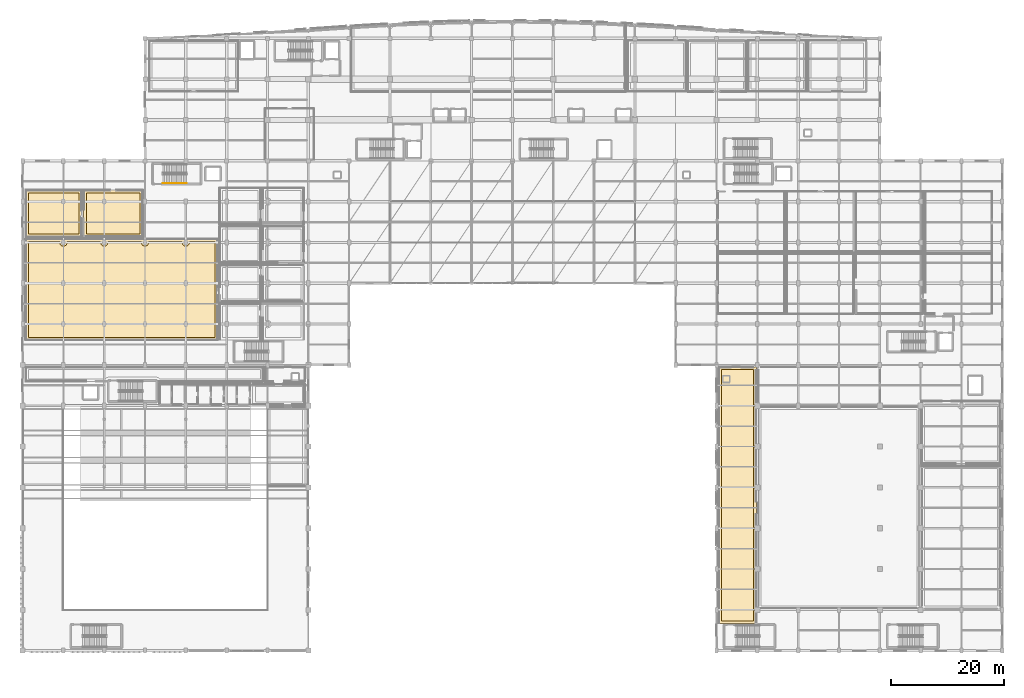
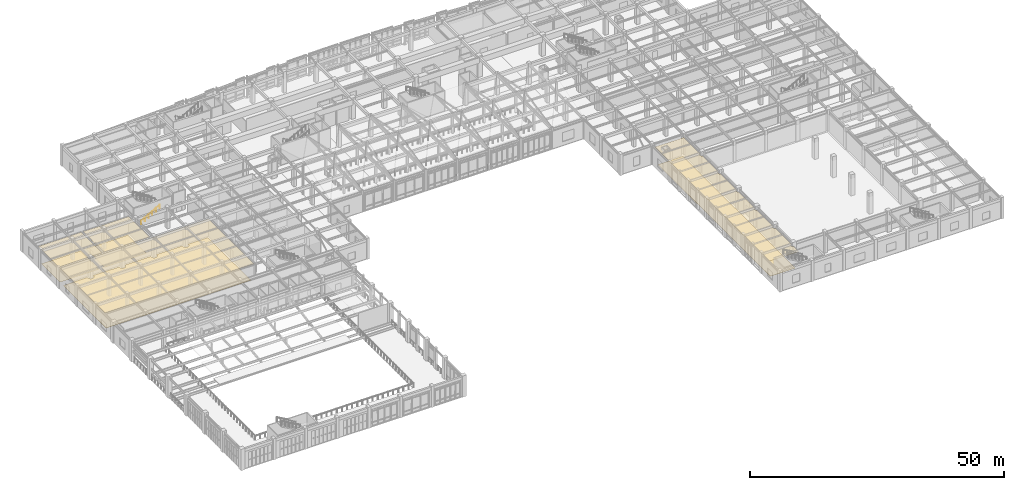
# One storey, part 106 of 117: 8 coverings, 1 railing.
"""IFC4 building model written with IfcOpenShell, lengths in metres."""

from ifc_helpers import new_model, si_unit, direction, frame, origin, origin_2d, place, context, subcontext, project, spatial, polyline, circle, outline, extrude, material, layer, layer_set, type_object, element, save


model = new_model("IFC4")

# Units and contexts
model_context = context("Model", 3, precision=1e-05, world=origin(), true_north=direction((0.0, 1.0)))
body_context = subcontext(model_context, "Body", "Model", "MODEL_VIEW")
ifc_project = project(units=[si_unit("LENGTHUNIT", "METRE"), si_unit("AREAUNIT", "SQUARE_METRE"), si_unit("VOLUMEUNIT", "CUBIC_METRE"), si_unit("PLANEANGLEUNIT", "RADIAN"), si_unit("MASSUNIT", "GRAM", prefix="KILO")], contexts=[model_context])

# Site, building, storey
site_placement = place(None, origin())
site = spatial("IfcSite", under=ifc_project, at=site_placement, CompositionType="ELEMENT")
building_placement = place(site_placement, origin())
building = spatial("IfcBuilding", under=site, at=building_placement, Name="Carrowvane Square Congress Hotel", CompositionType="ELEMENT")
storey_placement = place(building_placement, frame((0.0, 0.0, 5.39990234375)))
storey = spatial("IfcBuildingStorey", under=building, at=storey_placement, Name="L01", CompositionType="ELEMENT", Elevation=5.39990234375)

# Coverings
ifc_material_1 = material(Name="Acoustic gypsum board", Category="gypsum")
ifc_layer_1 = layer(ifc_material_1, 0.014892578125)
ifc_layer_set_1 = layer_set([ifc_layer_1], Name="Acoustic gypsum board")
covering_type_1 = type_object("IfcCoveringType", Name="COV-CLG-AC15", PredefinedType="CEILING", material=ifc_layer_set_1)
covering_1_placement = place(storey_placement, frame((0.0, 0.0, 4.050048828125)))
element("IfcCovering", 1, at=covering_1_placement, inside=storey, type_object=covering_type_1, Name="L01 Aromatic Botanical Steam Room acoustic ceiling", PredefinedType="CEILING", context=body_context, shape_type="SweptSolid", body=[
    extrude(outline(polyline([(32.802001953125, 86.619873046875), (32.803955078125, 86.61962890625), (32.805908203125, 86.619140625), (32.8076171875, 86.618408203125), (32.809326171875, 86.61767578125), (32.81103515625, 86.61669921875), (32.812744140625, 86.615478515625), (32.814208984375, 86.614013671875), (32.8154296875, 86.61279296875), (32.816650390625, 86.611083984375), (32.817626953125, 86.609375), (32.818603515625, 86.607666015625), (32.819091796875, 86.605712890625), (32.819580078125, 86.60400390625), (32.81982421875, 86.60205078125), (32.820068359375, 86.60009765625), (32.820068359375, 84.92431640625), (32.8134765625, 84.917236328125), (32.7841796875, 84.877685546875), (32.759033203125, 84.835693359375), (32.738037109375, 84.791259765625), (32.721435546875, 84.7451171875), (32.709716796875, 84.697509765625), (32.702392578125, 84.64892578125), (32.699951171875, 84.60009765625), (32.702392578125, 84.551025390625), (32.709716796875, 84.50244140625), (32.721435546875, 84.454833984375), (32.738037109375, 84.40869140625), (32.759033203125, 84.3642578125), (32.7841796875, 84.322265625), (32.8134765625, 84.28271484375), (32.820068359375, 84.275634765625), (32.820068359375, 78.39990234375), (32.81982421875, 78.39794921875), (32.819580078125, 78.39599609375), (32.819091796875, 78.394287109375), (32.818603515625, 78.392333984375), (32.817626953125, 78.390625), (32.816650390625, 78.388916015625), (32.8154296875, 78.38720703125), (32.814208984375, 78.385986328125), (32.812744140625, 78.384521484375), (32.81103515625, 78.38330078125), (32.809326171875, 78.38232421875), (32.8076171875, 78.381591796875), (32.805908203125, 78.380859375), (32.803955078125, 78.38037109375), (32.802001953125, 78.380126953125), (32.800048828125, 78.3798828125), (22.39990234375, 78.3798828125), (22.39794921875, 78.380126953125), (22.39599609375, 78.38037109375), (22.394287109375, 78.380859375), (22.392333984375, 78.381591796875), (22.390625, 78.38232421875), (22.388916015625, 78.38330078125), (22.38720703125, 78.384521484375), (22.385986328125, 78.385986328125), (22.384521484375, 78.38720703125), (22.38330078125, 78.388916015625), (22.38232421875, 78.390625), (22.381591796875, 78.392333984375), (22.380859375, 78.394287109375), (22.38037109375, 78.39599609375), (22.380126953125, 78.39794921875), (22.3798828125, 78.39990234375), (22.3798828125, 86.60009765625), (22.380126953125, 86.60205078125), (22.38037109375, 86.60400390625), (22.380859375, 86.605712890625), (22.381591796875, 86.607666015625), (22.38232421875, 86.609375), (22.38330078125, 86.611083984375), (22.384521484375, 86.61279296875), (22.385986328125, 86.614013671875), (22.38720703125, 86.615478515625), (22.388916015625, 86.61669921875), (22.390625, 86.61767578125), (22.392333984375, 86.618408203125), (22.394287109375, 86.619140625), (22.39599609375, 86.61962890625), (22.39794921875, 86.619873046875), (22.39990234375, 86.6201171875), (32.800048828125, 86.6201171875), (32.802001953125, 86.619873046875)])), origin(), (0.0, 0.0, 1.0), 0.01513671875),
])
ifc_material_2 = material(Name="Anodised aluminium", Category="aluminium")
ifc_layer_2 = layer(ifc_material_2, 0.030029296875)
ifc_layer_set_2 = layer_set([ifc_layer_2], Name="Anodised aluminium")
covering_type_2 = type_object("IfcCoveringType", Name="COV-CLG-MT30", PredefinedType="CEILING", material=ifc_layer_set_2)
covering_2_placement = place(storey_placement, frame((0.0, 0.0, 4.072998046875)))
element("IfcCovering", 2, at=covering_2_placement, inside=storey, type_object=covering_type_2, Name="L01 Ballroom Pre-Function Champagne Gallery acoustic ceiling", PredefinedType="CEILING", context=body_context, shape_type="SweptSolid", body=[
    extrude(outline(polyline([(134.5, 27.0), (134.49755859375, 27.049072265625), (134.490478515625, 27.097412109375), (134.478515625, 27.14501953125), (134.4619140625, 27.19140625), (134.44091796875, 27.235595703125), (134.415771484375, 27.27783203125), (134.386474609375, 27.317138671875), (134.3798828125, 27.324462890625), (134.3798828125, 33.87548828125), (134.386474609375, 33.8828125), (134.415771484375, 33.922119140625), (134.44091796875, 33.96435546875), (134.4619140625, 34.0087890625), (134.478515625, 34.054931640625), (134.490478515625, 34.1025390625), (134.49755859375, 34.15087890625), (134.5, 34.199951171875), (134.49755859375, 34.2490234375), (134.490478515625, 34.297607421875), (134.478515625, 34.34521484375), (134.4619140625, 34.391357421875), (134.44091796875, 34.435791015625), (134.415771484375, 34.477783203125), (134.386474609375, 34.51708984375), (134.3798828125, 34.5244140625), (134.3798828125, 41.07568359375), (134.386474609375, 41.082763671875), (134.415771484375, 41.122314453125), (134.44091796875, 41.164306640625), (134.4619140625, 41.208740234375), (134.478515625, 41.2548828125), (134.490478515625, 41.302490234375), (134.49755859375, 41.35107421875), (134.5, 41.39990234375), (134.49755859375, 41.448974609375), (134.490478515625, 41.49755859375), (134.478515625, 41.545166015625), (134.4619140625, 41.59130859375), (134.44091796875, 41.6357421875), (134.415771484375, 41.677734375), (134.386474609375, 41.71728515625), (134.3798828125, 41.724365234375), (134.3798828125, 48.275634765625), (134.386474609375, 48.28271484375), (134.415771484375, 48.322265625), (134.44091796875, 48.3642578125), (134.4619140625, 48.40869140625), (134.478515625, 48.454833984375), (134.490478515625, 48.50244140625), (134.49755859375, 48.551025390625), (134.5, 48.60009765625), (134.49755859375, 48.64892578125), (134.490478515625, 48.697509765625), (134.478515625, 48.7451171875), (134.4619140625, 48.791259765625), (134.44091796875, 48.835693359375), (134.415771484375, 48.877685546875), (134.386474609375, 48.917236328125), (134.3798828125, 48.92431640625), (134.3798828125, 55.39990234375), (134.380126953125, 55.402099609375), (134.38037109375, 55.40380859375), (134.380859375, 55.40576171875), (134.381591796875, 55.40771484375), (134.38232421875, 55.409423828125), (134.38330078125, 55.4111328125), (134.384521484375, 55.41259765625), (134.385986328125, 55.4140625), (134.38720703125, 55.41552734375), (134.388916015625, 55.41650390625), (134.390625, 55.41748046875), (134.392333984375, 55.41845703125), (134.394287109375, 55.419189453125), (134.39599609375, 55.419677734375), (134.39794921875, 55.419921875), (134.39990234375, 55.419921875), (140.87548828125, 55.419921875), (140.8828125, 55.41357421875), (140.922119140625, 55.38427734375), (140.96435546875, 55.35888671875), (141.0087890625, 55.338134765625), (141.02001953125, 55.333984375), (141.02001953125, 49.06591796875), (141.0087890625, 49.06201171875), (140.96435546875, 49.041015625), (140.922119140625, 49.015625), (140.8828125, 48.986572265625), (140.846435546875, 48.95361328125), (140.8134765625, 48.917236328125), (140.7841796875, 48.877685546875), (140.759033203125, 48.835693359375), (140.738037109375, 48.791259765625), (140.721435546875, 48.7451171875), (140.709716796875, 48.697509765625), (140.702392578125, 48.64892578125), (140.699951171875, 48.60009765625), (140.702392578125, 48.551025390625), (140.709716796875, 48.50244140625), (140.721435546875, 48.454833984375), (140.738037109375, 48.40869140625), (140.759033203125, 48.3642578125), (140.7841796875, 48.322265625), (140.8134765625, 48.28271484375), (140.846435546875, 48.246337890625), (140.8828125, 48.21337890625), (140.922119140625, 48.184326171875), (140.96435546875, 48.158935546875), (141.0087890625, 48.13818359375), (141.02001953125, 48.134033203125), (141.02001953125, 41.865966796875), (141.0087890625, 41.86181640625), (140.96435546875, 41.841064453125), (140.922119140625, 41.815673828125), (140.8828125, 41.78662109375), (140.846435546875, 41.753662109375), (140.8134765625, 41.71728515625), (140.7841796875, 41.677734375), (140.759033203125, 41.6357421875), (140.738037109375, 41.59130859375), (140.721435546875, 41.545166015625), (140.709716796875, 41.49755859375), (140.702392578125, 41.448974609375), (140.699951171875, 41.39990234375), (140.702392578125, 41.35107421875), (140.709716796875, 41.302490234375), (140.721435546875, 41.2548828125), (140.738037109375, 41.208740234375), (140.759033203125, 41.164306640625), (140.7841796875, 41.122314453125), (140.8134765625, 41.082763671875), (140.846435546875, 41.04638671875), (140.8828125, 41.013427734375), (140.922119140625, 40.984375), (140.96435546875, 40.958984375), (141.0087890625, 40.93798828125), (141.02001953125, 40.93408203125), (141.02001953125, 34.666015625), (141.0087890625, 34.661865234375), (140.96435546875, 34.64111328125), (140.922119140625, 34.61572265625), (140.8828125, 34.58642578125), (140.846435546875, 34.5537109375), (140.8134765625, 34.51708984375), (140.7841796875, 34.477783203125), (140.759033203125, 34.435791015625), (140.738037109375, 34.391357421875), (140.721435546875, 34.34521484375), (140.709716796875, 34.297607421875), (140.702392578125, 34.2490234375), (140.699951171875, 34.199951171875), (140.702392578125, 34.15087890625), (140.709716796875, 34.1025390625), (140.721435546875, 34.054931640625), (140.738037109375, 34.0087890625), (140.759033203125, 33.96435546875), (140.7841796875, 33.922119140625), (140.8134765625, 33.8828125), (140.846435546875, 33.846435546875), (140.8828125, 33.8134765625), (140.922119140625, 33.7841796875), (140.96435546875, 33.759033203125), (141.0087890625, 33.738037109375), (141.02001953125, 33.73388671875), (141.02001953125, 27.466064453125), (141.0087890625, 27.4619140625), (140.96435546875, 27.44091796875), (140.922119140625, 27.415771484375), (140.8828125, 27.386474609375), (140.846435546875, 27.353515625), (140.8134765625, 27.317138671875), (140.7841796875, 27.27783203125), (140.759033203125, 27.235595703125), (140.738037109375, 27.19140625), (140.721435546875, 27.14501953125), (140.709716796875, 27.097412109375), (140.702392578125, 27.049072265625), (140.699951171875, 27.0), (140.702392578125, 26.950927734375), (140.709716796875, 26.902587890625), (140.721435546875, 26.85498046875), (140.738037109375, 26.80859375), (140.759033203125, 26.764404296875), (140.7841796875, 26.72216796875), (140.8134765625, 26.682861328125), (140.846435546875, 26.646484375), (140.8828125, 26.613525390625), (140.922119140625, 26.584228515625), (140.96435546875, 26.55908203125), (141.0087890625, 26.5380859375), (141.02001953125, 26.533935546875), (141.02001953125, 20.26611328125), (141.0087890625, 20.261962890625), (140.96435546875, 20.240966796875), (140.922119140625, 20.2158203125), (140.8828125, 20.1865234375), (140.846435546875, 20.153564453125), (140.8134765625, 20.1171875), (140.7841796875, 20.077880859375), (140.759033203125, 20.03564453125), (140.738037109375, 19.9912109375), (140.721435546875, 19.945068359375), (140.709716796875, 19.8974609375), (140.702392578125, 19.84912109375), (140.699951171875, 19.800048828125), (140.702392578125, 19.7509765625), (140.709716796875, 19.702392578125), (140.721435546875, 19.65478515625), (140.738037109375, 19.608642578125), (140.759033203125, 19.564208984375), (140.7841796875, 19.522216796875), (140.8134765625, 19.48291015625), (140.846435546875, 19.4462890625), (140.8828125, 19.41357421875), (140.922119140625, 19.38427734375), (140.96435546875, 19.35888671875), (141.0087890625, 19.338134765625), (141.02001953125, 19.333984375), (141.02001953125, 13.06591796875), (141.0087890625, 13.06201171875), (140.96435546875, 13.041015625), (140.922119140625, 13.015625), (140.8828125, 12.986572265625), (140.846435546875, 12.95361328125), (140.8134765625, 12.917236328125), (140.7841796875, 12.877685546875), (140.759033203125, 12.835693359375), (140.738037109375, 12.791259765625), (140.721435546875, 12.7451171875), (140.709716796875, 12.697509765625), (140.702392578125, 12.64892578125), (140.699951171875, 12.60009765625), (140.702392578125, 12.551025390625), (140.709716796875, 12.50244140625), (140.721435546875, 12.454833984375), (140.738037109375, 12.40869140625), (140.759033203125, 12.3642578125), (140.7841796875, 12.322265625), (140.8134765625, 12.28271484375), (140.846435546875, 12.246337890625), (140.8828125, 12.21337890625), (140.922119140625, 12.184326171875), (140.96435546875, 12.158935546875), (141.0087890625, 12.13818359375), (141.02001953125, 12.134033203125), (141.02001953125, 10.199951171875), (141.02001953125, 10.197998046875), (141.01953125, 10.196044921875), (141.01904296875, 10.194091796875), (141.0185546875, 10.1923828125), (141.017578125, 10.190673828125), (141.0166015625, 10.18896484375), (141.015380859375, 10.187255859375), (141.01416015625, 10.185791015625), (141.0126953125, 10.1845703125), (141.010986328125, 10.183349609375), (141.009521484375, 10.182373046875), (141.0078125, 10.181396484375), (141.005859375, 10.180908203125), (141.00390625, 10.180419921875), (141.001953125, 10.18017578125), (141.0, 10.179931640625), (134.39990234375, 10.179931640625), (134.39794921875, 10.18017578125), (134.39599609375, 10.180419921875), (134.394287109375, 10.180908203125), (134.392333984375, 10.181396484375), (134.390625, 10.182373046875), (134.388916015625, 10.183349609375), (134.38720703125, 10.1845703125), (134.385986328125, 10.185791015625), (134.384521484375, 10.187255859375), (134.38330078125, 10.18896484375), (134.38232421875, 10.190673828125), (134.381591796875, 10.1923828125), (134.380859375, 10.194091796875), (134.38037109375, 10.196044921875), (134.380126953125, 10.197998046875), (134.3798828125, 10.199951171875), (134.3798828125, 12.275634765625), (134.386474609375, 12.28271484375), (134.415771484375, 12.322265625), (134.44091796875, 12.3642578125), (134.4619140625, 12.40869140625), (134.478515625, 12.454833984375), (134.490478515625, 12.50244140625), (134.49755859375, 12.551025390625), (134.5, 12.60009765625), (134.49755859375, 12.64892578125), (134.490478515625, 12.697509765625), (134.478515625, 12.7451171875), (134.4619140625, 12.791259765625), (134.44091796875, 12.835693359375), (134.415771484375, 12.877685546875), (134.386474609375, 12.917236328125), (134.3798828125, 12.92431640625), (134.3798828125, 19.4755859375), (134.386474609375, 19.48291015625), (134.415771484375, 19.522216796875), (134.44091796875, 19.564208984375), (134.4619140625, 19.608642578125), (134.478515625, 19.65478515625), (134.490478515625, 19.702392578125), (134.49755859375, 19.7509765625), (134.5, 19.800048828125), (134.49755859375, 19.84912109375), (134.490478515625, 19.8974609375), (134.478515625, 19.945068359375), (134.4619140625, 19.9912109375), (134.44091796875, 20.03564453125), (134.415771484375, 20.077880859375), (134.386474609375, 20.1171875), (134.3798828125, 20.12451171875), (134.3798828125, 26.675537109375), (134.386474609375, 26.682861328125), (134.415771484375, 26.72216796875), (134.44091796875, 26.764404296875), (134.4619140625, 26.80859375), (134.478515625, 26.85498046875), (134.490478515625, 26.902587890625), (134.49755859375, 26.950927734375), (134.5, 27.0)])), origin(), (0.0, 0.0, 1.0), 0.02978515625),
])
covering_3_placement = place(storey_placement, frame((0.0, 0.0, 4.03515625)))
element("IfcCovering", 3, at=covering_3_placement, inside=storey, type_object=covering_type_2, Name="L01 Cedar Finnish Sauna Suite acoustic ceiling", PredefinedType="CEILING", context=body_context, shape_type="SweptSolid", body=[
    extrude(outline(polyline([(12.18017578125, 86.60205078125), (12.180419921875, 86.60400390625), (12.180908203125, 86.605712890625), (12.181396484375, 86.607666015625), (12.182373046875, 86.609375), (12.183349609375, 86.611083984375), (12.1845703125, 86.61279296875), (12.185791015625, 86.614013671875), (12.187255859375, 86.615478515625), (12.18896484375, 86.61669921875), (12.190673828125, 86.61767578125), (12.1923828125, 86.618408203125), (12.194091796875, 86.619140625), (12.196044921875, 86.61962890625), (12.197998046875, 86.619873046875), (12.199951171875, 86.6201171875), (22.0, 86.6201171875), (22.001953125, 86.619873046875), (22.00390625, 86.61962890625), (22.005859375, 86.619140625), (22.0078125, 86.618408203125), (22.009521484375, 86.61767578125), (22.010986328125, 86.61669921875), (22.0126953125, 86.615478515625), (22.01416015625, 86.614013671875), (22.015380859375, 86.61279296875), (22.0166015625, 86.611083984375), (22.017578125, 86.609375), (22.0185546875, 86.607666015625), (22.01904296875, 86.605712890625), (22.01953125, 86.60400390625), (22.02001953125, 86.60205078125), (22.02001953125, 86.60009765625), (22.02001953125, 78.39990234375), (22.02001953125, 78.39794921875), (22.01953125, 78.39599609375), (22.01904296875, 78.394287109375), (22.0185546875, 78.392333984375), (22.017578125, 78.390625), (22.0166015625, 78.388916015625), (22.015380859375, 78.38720703125), (22.01416015625, 78.385986328125), (22.0126953125, 78.384521484375), (22.010986328125, 78.38330078125), (22.009521484375, 78.38232421875), (22.0078125, 78.381591796875), (22.005859375, 78.380859375), (22.00390625, 78.38037109375), (22.001953125, 78.380126953125), (22.0, 78.3798828125), (12.199951171875, 78.3798828125), (12.197998046875, 78.380126953125), (12.196044921875, 78.38037109375), (12.194091796875, 78.380859375), (12.1923828125, 78.381591796875), (12.190673828125, 78.38232421875), (12.18896484375, 78.38330078125), (12.187255859375, 78.384521484375), (12.185791015625, 78.385986328125), (12.1845703125, 78.38720703125), (12.183349609375, 78.388916015625), (12.182373046875, 78.390625), (12.181396484375, 78.392333984375), (12.180908203125, 78.394287109375), (12.180419921875, 78.39599609375), (12.18017578125, 78.39794921875), (12.179931640625, 78.39990234375), (12.179931640625, 86.60009765625), (12.18017578125, 86.60205078125)])), origin(), (0.0, 0.0, 1.0), 0.030029296875),
])
ifc_material_3 = material(Name="European oak timber", Category="wood")
ifc_layer_3 = layer(ifc_material_3, 0.02490234375)
ifc_layer_set_3 = layer_set([ifc_layer_3], Name="European oak timber")
covering_type_3 = type_object("IfcCoveringType", Name="COV-CLG-WD25", PredefinedType="CEILING", material=ifc_layer_set_3)
covering_4_placement = place(storey_placement, frame((0.0, 0.0, 4.0400390625)))
element("IfcCovering", 4, at=covering_4_placement, inside=storey, type_object=covering_type_3, Name="L01 Thermal Spa Pool and Vitality Hall acoustic ceiling", PredefinedType="CEILING", context=body_context, shape_type="SweptSolid", body=[
    extrude(outline(polyline([(12.18017578125, 78.001953125), (12.180419921875, 78.00390625), (12.180908203125, 78.005859375), (12.181396484375, 78.0078125), (12.182373046875, 78.009521484375), (12.183349609375, 78.010986328125), (12.1845703125, 78.0126953125), (12.185791015625, 78.01416015625), (12.187255859375, 78.015380859375), (12.18896484375, 78.0166015625), (12.190673828125, 78.017578125), (12.1923828125, 78.0185546875), (12.194091796875, 78.01904296875), (12.196044921875, 78.01953125), (12.197998046875, 78.02001953125), (12.199951171875, 78.02001953125), (46.0, 78.02001953125), (46.001953125, 78.02001953125), (46.00390625, 78.01953125), (46.005859375, 78.01904296875), (46.0078125, 78.0185546875), (46.009521484375, 78.017578125), (46.010986328125, 78.0166015625), (46.0126953125, 78.015380859375), (46.01416015625, 78.01416015625), (46.015380859375, 78.0126953125), (46.0166015625, 78.010986328125), (46.017578125, 78.009521484375), (46.0185546875, 78.0078125), (46.01904296875, 78.005859375), (46.01953125, 78.00390625), (46.02001953125, 78.001953125), (46.02001953125, 78.0), (46.02001953125, 60.199951171875), (46.02001953125, 60.197998046875), (46.01953125, 60.196044921875), (46.01904296875, 60.194091796875), (46.0185546875, 60.1923828125), (46.017578125, 60.190673828125), (46.0166015625, 60.18896484375), (46.015380859375, 60.187255859375), (46.01416015625, 60.185791015625), (46.0126953125, 60.1845703125), (46.010986328125, 60.183349609375), (46.009521484375, 60.182373046875), (46.0078125, 60.181396484375), (46.005859375, 60.180908203125), (46.00390625, 60.180419921875), (46.001953125, 60.18017578125), (46.0, 60.179931640625), (12.199951171875, 60.179931640625), (12.197998046875, 60.18017578125), (12.196044921875, 60.180419921875), (12.194091796875, 60.180908203125), (12.1923828125, 60.181396484375), (12.190673828125, 60.182373046875), (12.18896484375, 60.183349609375), (12.187255859375, 60.1845703125), (12.185791015625, 60.185791015625), (12.1845703125, 60.187255859375), (12.183349609375, 60.18896484375), (12.182373046875, 60.190673828125), (12.181396484375, 60.1923828125), (12.180908203125, 60.194091796875), (12.180419921875, 60.196044921875), (12.18017578125, 60.197998046875), (12.179931640625, 60.199951171875), (12.179931640625, 78.0), (12.18017578125, 78.001953125)])), origin(), (0.0, 0.0, 1.0), 0.025146484375),
])
ifc_material_4 = material(Name="European oak timber", Category="wood")
ifc_layer_4 = layer(ifc_material_4, 0.013916015625)
ifc_layer_set_4 = layer_set([ifc_layer_4], Name="European oak timber")
covering_type_4 = type_object("IfcCoveringType", Name="COV-FLR-CRP14", PredefinedType="FLOORING", material=ifc_layer_set_4)
covering_5_placement = place(storey_placement, origin())
element("IfcCovering", 5, at=covering_5_placement, inside=storey, type_object=covering_type_4, Name="L01 Ballroom Pre-Function Champagne Gallery floor finish", PredefinedType="FLOORING", context=body_context, shape_type="SweptSolid", body=[
    extrude(outline(polyline([(140.550048828125, 34.199951171875), (140.550048828125, 27.0), (140.550048828125, 27.0), (140.550048828125, 27.0), (140.550048828125, 19.800048828125), (140.550048828125, 19.800048828125), (140.550048828125, 19.800048828125), (140.550048828125, 12.60009765625), (140.550048828125, 12.60009765625), (140.550048828125, 12.60009765625), (140.550048828125, 10.64990234375), (134.85009765625, 10.64990234375), (134.85009765625, 54.949951171875), (140.550048828125, 54.949951171875), (140.550048828125, 48.60009765625), (140.550048828125, 48.60009765625), (140.550048828125, 48.60009765625), (140.550048828125, 41.39990234375), (140.550048828125, 41.39990234375), (140.550048828125, 41.39990234375), (140.550048828125, 34.199951171875), (140.550048828125, 34.199951171875), (140.550048828125, 34.199951171875)])), origin(), (0.0, 0.0, 1.0), 0.01416015625),
])
covering_6_placement = place(storey_placement, origin())
element("IfcCovering", 6, at=covering_6_placement, inside=storey, type_object=covering_type_4, Name="L01 Cedar Finnish Sauna Suite floor finish", PredefinedType="FLOORING", context=body_context, shape_type="SweptSolid", body=[
    extrude(outline(polyline([(21.550048828125, 86.14990234375), (21.550048828125, 78.85009765625), (12.64990234375, 78.85009765625), (12.64990234375, 86.14990234375), (21.550048828125, 86.14990234375)])), origin(), (0.0, 0.0, 1.0), 0.01416015625),
])
ifc_material_5 = material(Name="European oak timber", Category="wood")
ifc_layer_5 = layer(ifc_material_5, 0.01806640625)
ifc_layer_set_5 = layer_set([ifc_layer_5], Name="European oak timber")
covering_type_5 = type_object("IfcCoveringType", Name="COV-FLR-OAK18", PredefinedType="FLOORING", material=ifc_layer_set_5)
covering_7_placement = place(storey_placement, origin())
element("IfcCovering", 7, at=covering_7_placement, inside=storey, type_object=covering_type_5, Name="L01 Aromatic Botanical Steam Room floor finish", PredefinedType="FLOORING", context=body_context, shape_type="SweptSolid", body=[
    extrude(outline(polyline([(32.35009765625, 86.14990234375), (32.35009765625, 78.85009765625), (22.85009765625, 78.85009765625), (22.85009765625, 86.14990234375), (32.35009765625, 86.14990234375)])), origin(), (0.0, 0.0, 1.0), 0.01806640625),
])
ifc_material_6 = material(Name="Portland limestone cladding", Category="masonry")
ifc_layer_6 = layer(ifc_material_6, 0.02587890625)
ifc_layer_set_6 = layer_set([ifc_layer_6], Name="Portland limestone cladding")
covering_type_6 = type_object("IfcCoveringType", Name="COV-FLR-STN26", PredefinedType="FLOORING", material=ifc_layer_set_6)
covering_8_placement = place(storey_placement, origin())
element("IfcCovering", 8, at=covering_8_placement, inside=storey, type_object=covering_type_6, Name="L01 Thermal Spa Pool and Vitality Hall floor finish", PredefinedType="FLOORING", context=body_context, shape_type="SweptSolid", body=[
    extrude(outline(polyline([(33.773193359375, 77.093505859375), (33.800537109375, 77.1513671875), (33.822021484375, 77.211181640625), (33.83740234375, 77.273193359375), (33.846923828125, 77.336181640625), (33.85009765625, 77.39990234375), (33.846923828125, 77.463623046875), (33.83740234375, 77.52685546875), (33.831787109375, 77.550048828125), (39.768310546875, 77.550048828125), (39.762451171875, 77.52685546875), (39.753173828125, 77.463623046875), (39.75, 77.39990234375), (39.753173828125, 77.336181640625), (39.762451171875, 77.273193359375), (39.778076171875, 77.211181640625), (39.799560546875, 77.1513671875), (39.826904296875, 77.093505859375), (39.859619140625, 77.038818359375), (39.8974609375, 76.987548828125), (39.9404296875, 76.9404296875), (39.987548828125, 76.8974609375), (40.038818359375, 76.859619140625), (40.093505859375, 76.826904296875), (40.1513671875, 76.799560546875), (40.211181640625, 76.778076171875), (40.273193359375, 76.762451171875), (40.336181640625, 76.753173828125), (40.39990234375, 76.75), (40.463623046875, 76.753173828125), (40.52685546875, 76.762451171875), (40.588623046875, 76.778076171875), (40.648681640625, 76.799560546875), (40.706298828125, 76.826904296875), (40.760986328125, 76.859619140625), (40.8125, 76.8974609375), (40.859619140625, 76.9404296875), (40.902587890625, 76.987548828125), (40.9404296875, 77.038818359375), (40.97314453125, 77.093505859375), (41.00048828125, 77.1513671875), (41.02197265625, 77.211181640625), (41.03759765625, 77.273193359375), (41.046875, 77.336181640625), (41.050048828125, 77.39990234375), (41.046875, 77.463623046875), (41.03759765625, 77.52685546875), (41.03173828125, 77.550048828125), (45.550048828125, 77.550048828125), (45.550048828125, 60.64990234375), (12.64990234375, 60.64990234375), (12.64990234375, 77.550048828125), (18.168212890625, 77.550048828125), (18.16259765625, 77.52685546875), (18.153076171875, 77.463623046875), (18.14990234375, 77.39990234375), (18.153076171875, 77.336181640625), (18.16259765625, 77.273193359375), (18.177978515625, 77.211181640625), (18.199462890625, 77.1513671875), (18.226806640625, 77.093505859375), (18.259521484375, 77.038818359375), (18.297607421875, 76.987548828125), (18.34033203125, 76.9404296875), (18.3876953125, 76.8974609375), (18.43896484375, 76.859619140625), (18.49365234375, 76.826904296875), (18.55126953125, 76.799560546875), (18.611328125, 76.778076171875), (18.673095703125, 76.762451171875), (18.736328125, 76.753173828125), (18.800048828125, 76.75), (18.86376953125, 76.753173828125), (18.9267578125, 76.762451171875), (18.98876953125, 76.778076171875), (19.048583984375, 76.799560546875), (19.1064453125, 76.826904296875), (19.1611328125, 76.859619140625), (19.21240234375, 76.8974609375), (19.259521484375, 76.9404296875), (19.302490234375, 76.987548828125), (19.340576171875, 77.038818359375), (19.373291015625, 77.093505859375), (19.400390625, 77.1513671875), (19.422119140625, 77.211181640625), (19.4375, 77.273193359375), (19.447021484375, 77.336181640625), (19.449951171875, 77.39990234375), (19.447021484375, 77.463623046875), (19.4375, 77.52685546875), (19.431640625, 77.550048828125), (25.368408203125, 77.550048828125), (25.362548828125, 77.52685546875), (25.35302734375, 77.463623046875), (25.35009765625, 77.39990234375), (25.35302734375, 77.336181640625), (25.362548828125, 77.273193359375), (25.3779296875, 77.211181640625), (25.3994140625, 77.1513671875), (25.4267578125, 77.093505859375), (25.45947265625, 77.038818359375), (25.49755859375, 76.987548828125), (25.540283203125, 76.9404296875), (25.587646484375, 76.8974609375), (25.638916015625, 76.859619140625), (25.693603515625, 76.826904296875), (25.751220703125, 76.799560546875), (25.811279296875, 76.778076171875), (25.873291015625, 76.762451171875), (25.936279296875, 76.753173828125), (26.0, 76.75), (26.063720703125, 76.753173828125), (26.126708984375, 76.762451171875), (26.188720703125, 76.778076171875), (26.248779296875, 76.799560546875), (26.306396484375, 76.826904296875), (26.361083984375, 76.859619140625), (26.412353515625, 76.8974609375), (26.459716796875, 76.9404296875), (26.50244140625, 76.987548828125), (26.54052734375, 77.038818359375), (26.5732421875, 77.093505859375), (26.6005859375, 77.1513671875), (26.6220703125, 77.211181640625), (26.637451171875, 77.273193359375), (26.64697265625, 77.336181640625), (26.64990234375, 77.39990234375), (26.64697265625, 77.463623046875), (26.637451171875, 77.52685546875), (26.631591796875, 77.550048828125), (32.568359375, 77.550048828125), (32.5625, 77.52685546875), (32.552978515625, 77.463623046875), (32.550048828125, 77.39990234375), (32.552978515625, 77.336181640625), (32.5625, 77.273193359375), (32.577880859375, 77.211181640625), (32.599609375, 77.1513671875), (32.626708984375, 77.093505859375), (32.659423828125, 77.038818359375), (32.697509765625, 76.987548828125), (32.740478515625, 76.9404296875), (32.78759765625, 76.8974609375), (32.8388671875, 76.859619140625), (32.8935546875, 76.826904296875), (32.951416015625, 76.799560546875), (33.01123046875, 76.778076171875), (33.0732421875, 76.762451171875), (33.13623046875, 76.753173828125), (33.199951171875, 76.75), (33.263671875, 76.753173828125), (33.326904296875, 76.762451171875), (33.388671875, 76.778076171875), (33.44873046875, 76.799560546875), (33.50634765625, 76.826904296875), (33.56103515625, 76.859619140625), (33.6123046875, 76.8974609375), (33.65966796875, 76.9404296875), (33.702392578125, 76.987548828125), (33.740478515625, 77.038818359375), (33.773193359375, 77.093505859375)])), origin(), (0.0, 0.0, 1.0), 0.026123046875),
])

# Railing
ifc_material_7 = material(Name="Stainless steel 316", Category="steel")
ifc_layer_7 = layer(ifc_material_7, 0.048095703125)
ifc_layer_set_7 = layer_set([ifc_layer_7], Name="Stainless steel 316")
railing_type = type_object("IfcRailingType", Name="RLG-HR-900", PredefinedType="HANDRAIL", material=ifc_layer_set_7)
railing_placement = place(storey_placement, frame((36.35009765625, 87.85009765625, 0.170166015625)))
element("IfcRailing", 9, at=railing_placement, inside=storey, type_object=railing_type, Name="L01 ST5 stair handrail 1", PredefinedType="HANDRAIL", context=body_context, shape_type="SweptSolid", body=[
    extrude(circle(Radius=0.02392578125, at=origin_2d()), frame((0.0, 0.0, 0.8759765625), z_axis=(0.870030139814, 0.0, 0.492998535308), x_axis=(0.0, 1.0, 0.0)), (0.0, 0.0, 1.0), 4.827392578125),
    extrude(circle(Radius=0.02099609375, at=origin_2d()), origin(), (0.0, 0.0, 1.0), 0.851806640625),
    extrude(circle(Radius=0.02099609375, at=origin_2d()), frame((0.840087890625, 0.0, 0.47607421875)), (0.0, 0.0, 1.0), 0.851806640625),
    extrude(circle(Radius=0.02099609375, at=origin_2d()), frame((1.679931640625, 0.0, 0.951904296875)), (0.0, 0.0, 1.0), 0.851806640625),
    extrude(circle(Radius=0.02099609375, at=origin_2d()), frame((2.52001953125, 0.0, 1.427978515625)), (0.0, 0.0, 1.0), 0.851806640625),
    extrude(circle(Radius=0.02099609375, at=origin_2d()), frame((3.35986328125, 0.0, 1.90380859375)), (0.0, 0.0, 1.0), 0.851806640625),
    extrude(circle(Radius=0.02099609375, at=origin_2d()), frame((4.199951171875, 0.0, 2.3798828125)), (0.0, 0.0, 1.0), 0.851806640625),
])

save(model, "model.ifc")
